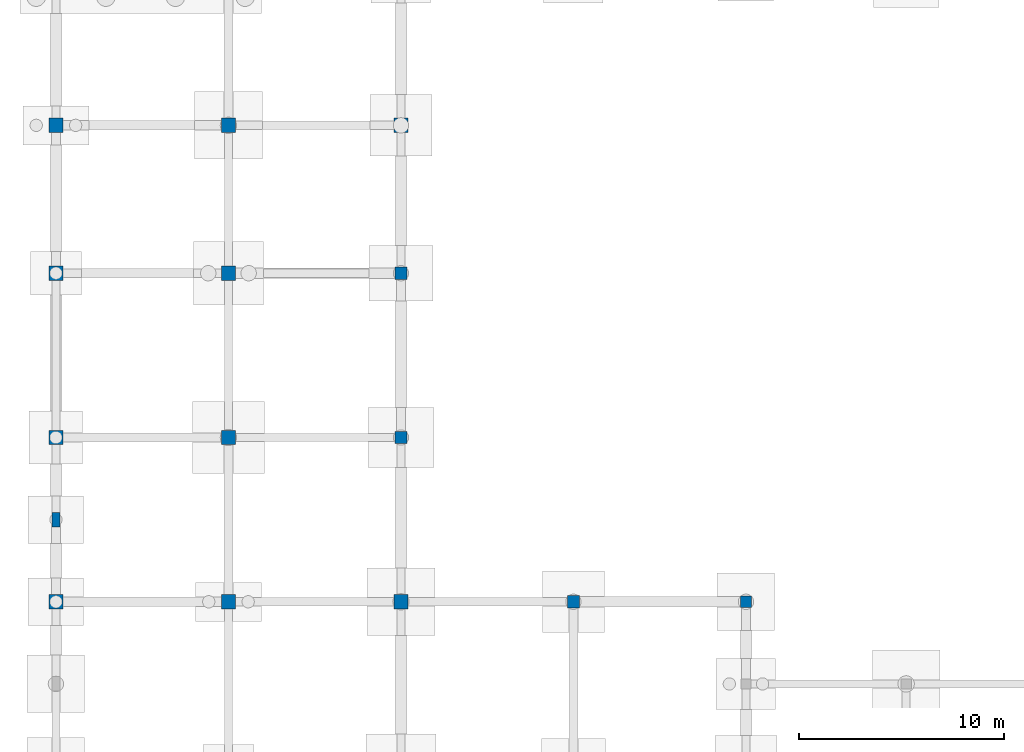
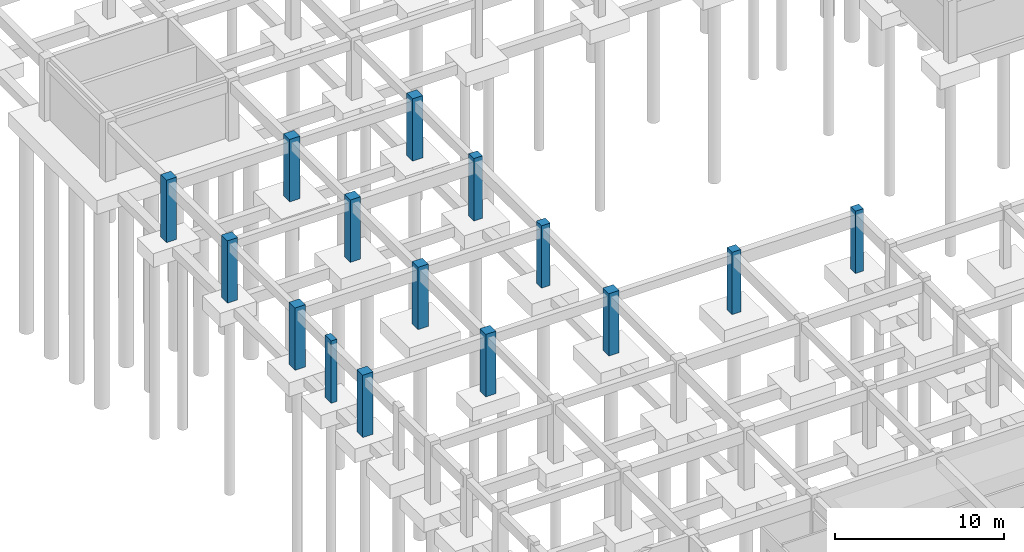
# One storey, part 16 of 43: 15 columns.
"""IFC4 building model written with IfcOpenShell, lengths in metres."""

from ifc_helpers import new_model, si_unit, derived_unit, direction, frame, origin, origin_2d, place, context, subcontext, project, spatial, rectangle, extrude, material, material_profile, profile_set, type_object, element, save


model = new_model("IFC4")

# Units and contexts
model_context = context("Model", 3, precision=1e-05, world=origin(), true_north=direction((0.0, 1.0)))
body_context = subcontext(model_context, "Body", "Model", "MODEL_VIEW")
ifc_project = project(units=[si_unit("LENGTHUNIT", "METRE"), si_unit("AREAUNIT", "SQUARE_METRE"), si_unit("VOLUMEUNIT", "CUBIC_METRE"), si_unit("PLANEANGLEUNIT", "RADIAN"), si_unit("MASSUNIT", "GRAM", prefix="KILO"), derived_unit("THERMALTRANSMITTANCEUNIT", [(si_unit("POWERUNIT", "WATT"), 1), (si_unit("AREAUNIT", "SQUARE_METRE"), -1), (si_unit("THERMODYNAMICTEMPERATUREUNIT", "KELVIN"), -1)])], contexts=[model_context])

# Site, building, storey
site_placement = place(None, origin())
site = spatial("IfcSite", under=ifc_project, at=site_placement, CompositionType="ELEMENT")
building_placement = place(site_placement, origin())
building = spatial("IfcBuilding", under=site, at=building_placement, Name="Yasenodar Specialist Clinic", CompositionType="ELEMENT")
storey_placement = place(building_placement, frame((0.0, 0.0, -4.5)))
storey = spatial("IfcBuildingStorey", under=building, at=storey_placement, Name="B1", CompositionType="ELEMENT", Elevation=-4.5)

# Columns
ifc_material = material(Name="Concrete C35/45", Category="concrete")
ifc_material_profile_1 = material_profile(ifc_material, rectangle(XDim=0.550048828125, YDim=0.550048828125, at=origin_2d()), Name="RC 550x550")
ifc_profile_set_1 = profile_set([ifc_material_profile_1], Name="Concrete C35/45")
column_type_1 = type_object("IfcColumnType", Name="COL-RC-550", PredefinedType="COLUMN", material=ifc_profile_set_1)
column_1_placement = place(storey_placement, frame((33.60009765625, 66.800048828125, 0.0), z_axis=(0.0, 0.0, 1.0), x_axis=(1.0, 0.0, 0.0)))
element("IfcColumn", 1, at=column_1_placement, inside=storey, type_object=column_type_1, Name="B1 Column V4-068", PredefinedType="COLUMN", context=body_context, shape_type="SweptSolid", body=[
    extrude(rectangle(XDim=0.550048828125, YDim=0.550048828125, at=origin_2d()), origin(), (0.0, 0.0, 1.0), 4.5),
])
ifc_material_profile_2 = material_profile(ifc_material, rectangle(XDim=0.60009765625, YDim=0.60009765625, at=origin_2d()), Name="RC 600x600")
ifc_profile_set_2 = profile_set([ifc_material_profile_2], Name="Concrete C35/45")
column_type_2 = type_object("IfcColumnType", Name="COL-RC-600", PredefinedType="COLUMN", material=ifc_profile_set_2)
for number, where, z_axis, x_axis, name in (
    (2, (16.800048828125, 74.800048828125, 0.0), (0.0, 0.0, 1.0), (1.0, 0.0, 0.0), "B1 Column V4-040"),
    (3, (16.800048828125, 82.800048828125, 0.0), (0.0, 0.0, 1.0), (1.0, 0.0, 0.0), "B1 Column V4-041"),
    (4, (25.199951171875, 66.800048828125, 0.0), (0.0, 0.0, 1.0), (1.0, 0.0, 0.0), "B1 Column V4-054"),
):
    element("IfcColumn", number, at=place(storey_placement, frame(where, z_axis=z_axis, x_axis=x_axis)), inside=storey, type_object=column_type_2, Name=name, PredefinedType="COLUMN", context=body_context, shape_type="SweptSolid", body=[
        extrude(rectangle(XDim=0.60009765625, YDim=0.60009765625, at=origin_2d()), origin(), (0.0, 0.0, 1.0), 4.5),
    ])
ifc_material_profile_3 = material_profile(ifc_material, rectangle(XDim=0.699951171875, YDim=0.699951171875, at=origin_2d()), Name="RC 700x700")
ifc_profile_set_3 = profile_set([ifc_material_profile_3], Name="Concrete C35/45")
column_type_3 = type_object("IfcColumnType", Name="COL-RC-700", PredefinedType="COLUMN", material=ifc_profile_set_3)
for number, where, z_axis, x_axis, name in (
    (5, (0.0, 66.800048828125, 0.0), (0.0, 0.0, 1.0), (1.0, 0.0, 0.0), "B1 Column V4-009"),
    (6, (0.0, 74.800048828125, 0.0), (0.0, 0.0, 1.0), (1.0, 0.0, 0.0), "B1 Column V4-010"),
    (7, (0.0, 82.800048828125, 0.0), (0.0, 0.0, 1.0), (1.0, 0.0, 0.0), "B1 Column V4-011"),
    (8, (0.0, 90.0, 0.0), (0.0, 0.0, 1.0), (1.0, 0.0, 0.0), "B1 Column V4-012"),
    (9, (8.39990234375, 66.800048828125, 0.0), (0.0, 0.0, 1.0), (1.0, 0.0, 0.0), "B1 Column V4-024"),
    (10, (8.39990234375, 74.800048828125, 0.0), (0.0, 0.0, 1.0), (1.0, 0.0, 0.0), "B1 Column V4-025"),
    (11, (8.39990234375, 82.800048828125, 0.0), (0.0, 0.0, 1.0), (1.0, 0.0, 0.0), "B1 Column V4-026"),
    (12, (8.39990234375, 90.0, 0.0), (0.0, 0.0, 1.0), (1.0, 0.0, 0.0), "B1 Column V4-027"),
    (13, (16.800048828125, 66.800048828125, 0.0), (0.0, 0.0, 1.0), (1.0, 0.0, 0.0), "B1 Column V4-039"),
    (14, (16.800048828125, 90.0, 0.0), (0.0, 0.0, 1.0), (1.0, 0.0, 0.0), "B1 Column V4-042"),
):
    element("IfcColumn", number, at=place(storey_placement, frame(where, z_axis=z_axis, x_axis=x_axis)), inside=storey, type_object=column_type_3, Name=name, PredefinedType="COLUMN", context=body_context, shape_type="SweptSolid", body=[
        extrude(rectangle(XDim=0.699951171875, YDim=0.699951171875, at=origin_2d()), origin(), (0.0, 0.0, 1.0), 4.5),
    ])
ifc_material_profile_4 = material_profile(ifc_material, rectangle(XDim=0.39990234375, YDim=0.699951171875, at=origin_2d()), Name="RC 400x700")
ifc_profile_set_4 = profile_set([ifc_material_profile_4], Name="Concrete C35/45")
column_type_4 = type_object("IfcColumnType", Name="PIL-RC-400x700", PredefinedType="PILASTER", material=ifc_profile_set_4)
column_2_placement = place(storey_placement, frame((0.0, 70.800048828125, 0.0), z_axis=(0.0, 0.0, 1.0), x_axis=(1.0, 0.0, 0.0)))
element("IfcColumn", 15, at=column_2_placement, inside=storey, type_object=column_type_4, Name="B1 Arcade Pilaster 04", PredefinedType="PILASTER", context=body_context, shape_type="SweptSolid", body=[
    extrude(rectangle(XDim=0.39990234375, YDim=0.699951171875, at=origin_2d()), origin(), (0.0, 0.0, 1.0), 4.5),
])

save(model, "model.ifc")
